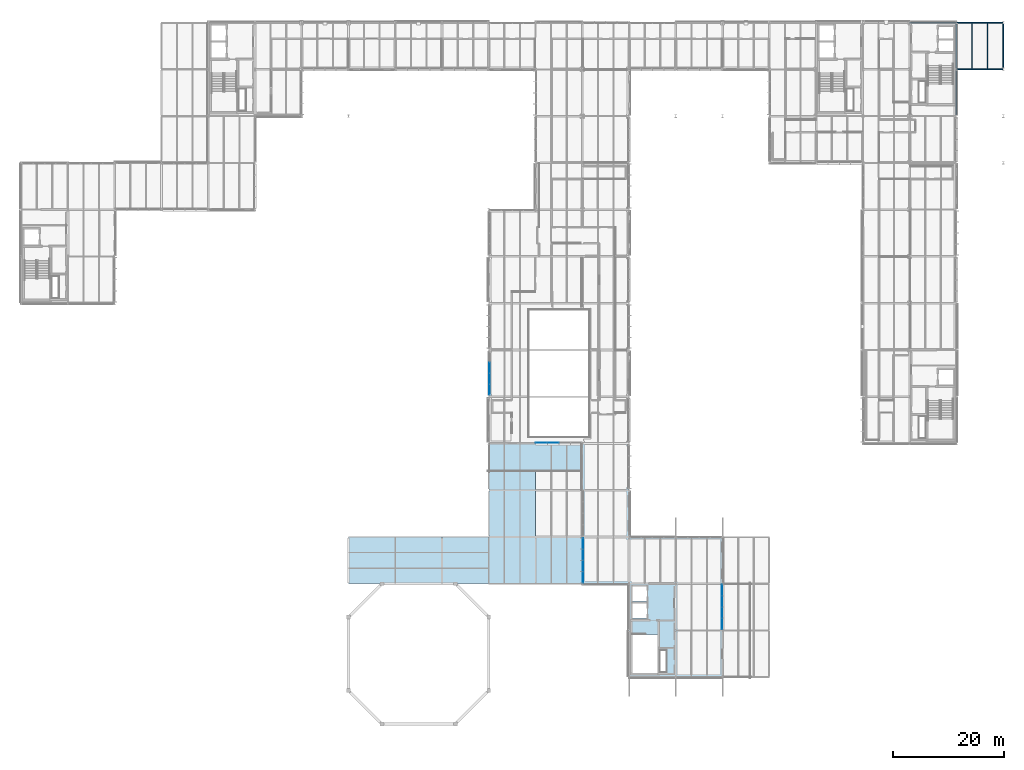
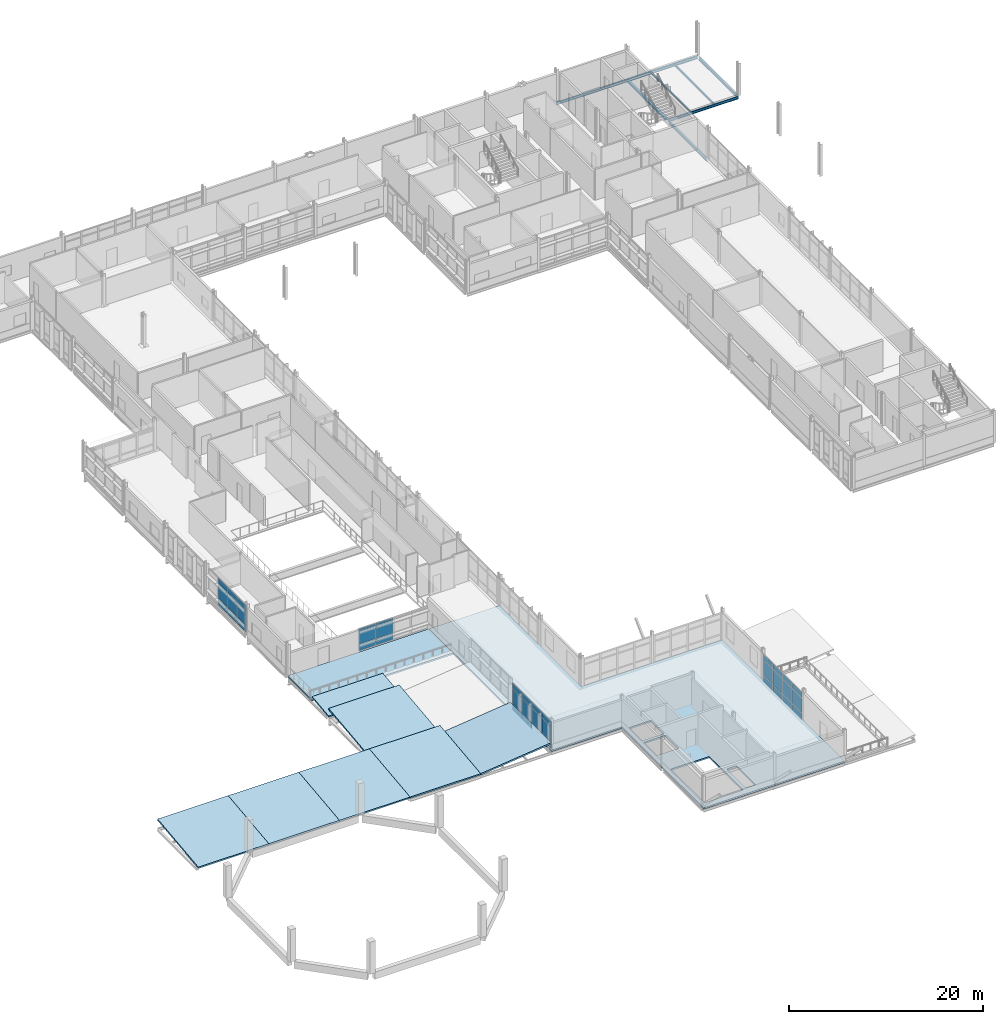
# One storey, part 95 of 131: 39 plates, 9 slabs, 8 beams, 4 elements without a shape of their own.
"""IFC4 building model written with IfcOpenShell, lengths in metres."""

from ifc_helpers import new_model, si_unit, direction, frame, origin, origin_2d, place, context, subcontext, project, spatial, polyline, rectangle, i_section, outline, extrude, material, layer, layer_set, material_profile, profile_set, type_object, element, aggregate, save


model = new_model("IFC4")

# Units and contexts
model_context = context("Model", 3, precision=1e-05, world=origin(), true_north=direction((0.0, 1.0)))
body_context = subcontext(model_context, "Body", "Model", "MODEL_VIEW")
ifc_project = project(units=[si_unit("LENGTHUNIT", "METRE"), si_unit("AREAUNIT", "SQUARE_METRE"), si_unit("VOLUMEUNIT", "CUBIC_METRE"), si_unit("PLANEANGLEUNIT", "RADIAN"), si_unit("MASSUNIT", "GRAM", prefix="KILO")], contexts=[model_context])

# Site, building, storey
site_placement = place(None, origin())
site = spatial("IfcSite", under=ifc_project, at=site_placement, CompositionType="ELEMENT")
building_placement = place(site_placement, origin())
building = spatial("IfcBuilding", under=site, at=building_placement, Name="Mersafa Astral City Hall", CompositionType="ELEMENT")
storey_placement = place(building_placement, frame((0.0, 0.0, 13.949951171875)))
storey = spatial("IfcBuildingStorey", under=building, at=storey_placement, Name="L03", CompositionType="ELEMENT", Elevation=13.949951171875)

# Beams
ifc_material_1 = material(Name="Steel S355", Category="steel")
ifc_material_profile_1 = material_profile(ifc_material_1, i_section(OverallWidth=0.135009765625, OverallDepth=0.27001953125, WebThickness=0.006591796875, FlangeThickness=0.01025390625, FilletRadius=0.014892578125, at=origin_2d()), Name="IPE 270")
ifc_profile_set_1 = profile_set([ifc_material_profile_1], Name="Steel S355")
beam_type_1 = type_object("IfcBeamType", Name="STR-BM-JOIST-IPE270", PredefinedType="JOIST", material=ifc_profile_set_1)
for number, where, z_axis, x_axis, name in (
    (1, (179.199951171875, 117.675048828125, -0.3349609375), (0.0, 1.0, 0.0), (-1.0, 0.0, 0.0), "L03 Flat roof secondary joist 31"),
    (2, (182.0, 117.675048828125, -0.3349609375), (0.0, 1.0, 0.0), (-1.0, 0.0, 0.0), "L03 Flat roof secondary joist 32"),
):
    element("IfcBeam", number, at=place(storey_placement, frame(where, z_axis=z_axis, x_axis=x_axis)), inside=storey, type_object=beam_type_1, Name=name, PredefinedType="JOIST", context=body_context, shape_type="SweptSolid", body=[
        extrude(i_section(OverallWidth=0.135009765625, OverallDepth=0.27001953125, WebThickness=0.006591796875, FlangeThickness=0.01025390625, FilletRadius=0.014892578125, at=origin_2d()), origin(), (0.0, 0.0, 1.0), 8.244873046875),
    ])
ifc_material_profile_2 = material_profile(ifc_material_1, i_section(OverallWidth=0.280029296875, OverallDepth=0.27001953125, WebThickness=0.008056640625, FlangeThickness=0.012939453125, FilletRadius=0.02392578125, at=origin_2d()), Name="HEA 280")
ifc_profile_set_2 = profile_set([ifc_material_profile_2], Name="Steel S355")
beam_type_2 = type_object("IfcBeamType", Name="STR-BM-SPANDREL-HEA280", PredefinedType="SPANDREL", material=ifc_profile_set_2)
beam_1_placement = place(storey_placement, frame((176.39990234375, 117.844970703125, -0.3349609375), z_axis=(0.0, 1.0, 0.0), x_axis=(-1.0, 0.0, 0.0)))
element("IfcBeam", 3, at=beam_1_placement, inside=storey, type_object=beam_type_2, Name="L03 Primary girder Y 21-14", PredefinedType="SPANDREL", context=body_context, shape_type="SweptSolid", body=[
    extrude(i_section(OverallWidth=0.280029296875, OverallDepth=0.27001953125, WebThickness=0.008056640625, FlangeThickness=0.012939453125, FilletRadius=0.02392578125, at=origin_2d()), origin(), (0.0, 0.0, 1.0), 7.909912109375),
])
ifc_material_profile_3 = material_profile(ifc_material_1, i_section(OverallWidth=0.159912109375, OverallDepth=0.330078125, WebThickness=0.007568359375, FlangeThickness=0.011474609375, FilletRadius=0.01806640625, at=origin_2d()), Name="IPE 330")
ifc_profile_set_3 = profile_set([ifc_material_profile_3], Name="Steel S355")
beam_type_3 = type_object("IfcBeamType", Name="STR-BM-SPANDREL-IPE330", PredefinedType="SPANDREL", material=ifc_profile_set_3)
for number, where, z_axis, x_axis, name in (
    (4, (176.403076171875, 117.60009765625, -0.364990234375), (1.0, 0.0, 0.0), (0.0, 1.0, 0.0), "L03 Primary girder X 21-14"),
    (5, (168.0029296875, 126.0, -0.364990234375), (1.0, 0.0, 0.0), (0.0, 1.0, 0.0), "L03 Primary girder X 20-15"),
):
    element("IfcBeam", number, at=place(storey_placement, frame(where, z_axis=z_axis, x_axis=x_axis)), inside=storey, type_object=beam_type_3, Name=name, PredefinedType="SPANDREL", context=body_context, shape_type="SweptSolid", body=[
        extrude(i_section(OverallWidth=0.159912109375, OverallDepth=0.330078125, WebThickness=0.007568359375, FlangeThickness=0.011474609375, FilletRadius=0.01806640625, at=origin_2d()), origin(), (0.0, 0.0, 1.0), 8.39404296875),
    ])
ifc_material_profile_4 = material_profile(ifc_material_1, i_section(OverallWidth=0.169921875, OverallDepth=0.360107421875, WebThickness=0.008056640625, FlangeThickness=0.0126953125, FilletRadius=0.01806640625, at=origin_2d()), Name="IPE 360")
ifc_profile_set_4 = profile_set([ifc_material_profile_4], Name="Steel S355")
beam_type_4 = type_object("IfcBeamType", Name="STR-BM-SPANDREL-IPE360", PredefinedType="SPANDREL", material=ifc_profile_set_4)
beam_2_placement = place(storey_placement, frame((176.403076171875, 126.0, -0.3798828125), z_axis=(1.0, 0.0, 0.0), x_axis=(0.0, 1.0, 0.0)))
element("IfcBeam", 6, at=beam_2_placement, inside=storey, type_object=beam_type_4, Name="L03 Primary girder X 21-15", PredefinedType="SPANDREL", context=body_context, shape_type="SweptSolid", body=[
    extrude(i_section(OverallWidth=0.169921875, OverallDepth=0.360107421875, WebThickness=0.008056640625, FlangeThickness=0.0126953125, FilletRadius=0.01806640625, at=origin_2d()), origin(), (0.0, 0.0, 1.0), 8.39404296875),
])
for number, where, z_axis, x_axis, name in (
    (7, (176.39990234375, 109.445068359375, -0.3798828125), (0.0, 1.0, 0.0), (-1.0, 0.0, 0.0), "L03 Primary girder Y 21-13"),
    (8, (184.800048828125, 117.844970703125, -0.3798828125), (0.0, 1.0, 0.0), (-1.0, 0.0, 0.0), "L03 Primary girder Y 22-14"),
):
    element("IfcBeam", number, at=place(storey_placement, frame(where, z_axis=z_axis, x_axis=x_axis)), inside=storey, type_object=beam_type_4, Name=name, PredefinedType="SPANDREL", context=body_context, shape_type="SweptSolid", body=[
        extrude(i_section(OverallWidth=0.169921875, OverallDepth=0.360107421875, WebThickness=0.008056640625, FlangeThickness=0.0126953125, FilletRadius=0.01806640625, at=origin_2d()), origin(), (0.0, 0.0, 1.0), 7.909912109375),
    ])

# Curtain wall, plates
ifc_material_2 = material(Name="Anodised bronze aluminium framing", Category="aluminium")
curtain_wall_type_1 = type_object("IfcCurtainWallType", Name="ENV-CW-5", PredefinedType="USERDEFINED", material=ifc_material_2)
curtain_wall_1_placement = place(storey_placement, origin())
curtain_wall_1 = element("IfcCurtainWall", 9, at=curtain_wall_1_placement, inside=storey, type_object=curtain_wall_type_1, Name="L03 Unitised solar curtain wall 148", ObjectType="UNITISED CURTAIN WALL", PredefinedType="USERDEFINED")
ifc_material_3 = material(Name="Solar control low-e double glazing", Category="glass")
ifc_layer_1 = layer(ifc_material_3, 0.028076171875, Name="Solar control low-e double glazing")
ifc_layer_set_1 = layer_set([ifc_layer_1], Name="Solar control low-e double glazing — ENV-CW-PNL-GLZ-1")
plate_type_1 = type_object("IfcPlateType", Name="ENV-CW-PNL-GLZ-1", PredefinedType="CURTAIN_PANEL", material=ifc_layer_set_1)
plate_1_placement = place(storey_placement, frame((109.320068359375, 32.41357421875, 0.05810546875), z_axis=(0.0, 0.0, 1.0), x_axis=(0.0, -1.0, 0.0)))
plate_1 = element("IfcPlate", 10, at=plate_1_placement, type_object=plate_type_1, Name="CW-5 panel 1.1", PredefinedType="CURTAIN_PANEL", context=body_context, shape_type="SweptSolid", body=[
    extrude(rectangle(XDim=1.928955078125, YDim=0.028076171875, at=origin_2d()), origin(), (0.0, 0.0, 1.0), 0.761962890625),
])
plate_2_placement = place(storey_placement, frame((109.320068359375, 32.41357421875, 0.8798828125), z_axis=(0.0, 0.0, 1.0), x_axis=(0.0, -1.0, 0.0)))
plate_2 = element("IfcPlate", 11, at=plate_2_placement, type_object=plate_type_1, Name="CW-5 panel 1.2", PredefinedType="CURTAIN_PANEL", context=body_context, shape_type="SweptSolid", body=[
    extrude(rectangle(XDim=1.928955078125, YDim=0.028076171875, at=origin_2d()), origin(), (0.0, 0.0, 1.0), 1.840087890625),
])
plate_3_placement = place(storey_placement, frame((109.320068359375, 32.41357421875, 2.780029296875), z_axis=(0.0, 0.0, 1.0), x_axis=(0.0, -1.0, 0.0)))
plate_3 = element("IfcPlate", 12, at=plate_3_placement, type_object=plate_type_1, Name="CW-5 panel 1.3", PredefinedType="CURTAIN_PANEL", context=body_context, shape_type="SweptSolid", body=[
    extrude(rectangle(XDim=1.928955078125, YDim=0.028076171875, at=origin_2d()), origin(), (0.0, 0.0, 1.0), 0.64697265625),
])
plate_4_placement = place(storey_placement, frame((109.320068359375, 30.409423828125, 0.05810546875), z_axis=(0.0, 0.0, 1.0), x_axis=(0.0, -1.0, 0.0)))
plate_4 = element("IfcPlate", 13, at=plate_4_placement, type_object=plate_type_1, Name="CW-5 panel 2.1", PredefinedType="CURTAIN_PANEL", context=body_context, shape_type="SweptSolid", body=[
    extrude(rectangle(XDim=1.958984375, YDim=0.028076171875, at=origin_2d()), origin(), (0.0, 0.0, 1.0), 0.761962890625),
])
plate_5_placement = place(storey_placement, frame((109.320068359375, 30.409423828125, 0.8798828125), z_axis=(0.0, 0.0, 1.0), x_axis=(0.0, -1.0, 0.0)))
plate_5 = element("IfcPlate", 14, at=plate_5_placement, type_object=plate_type_1, Name="CW-5 panel 2.2", PredefinedType="CURTAIN_PANEL", context=body_context, shape_type="SweptSolid", body=[
    extrude(rectangle(XDim=1.958984375, YDim=0.028076171875, at=origin_2d()), origin(), (0.0, 0.0, 1.0), 1.840087890625),
])
plate_6_placement = place(storey_placement, frame((109.320068359375, 30.409423828125, 2.780029296875), z_axis=(0.0, 0.0, 1.0), x_axis=(0.0, -1.0, 0.0)))
plate_6 = element("IfcPlate", 15, at=plate_6_placement, type_object=plate_type_1, Name="CW-5 panel 2.3", PredefinedType="CURTAIN_PANEL", context=body_context, shape_type="SweptSolid", body=[
    extrude(rectangle(XDim=1.958984375, YDim=0.028076171875, at=origin_2d()), origin(), (0.0, 0.0, 1.0), 0.64697265625),
])
plate_7_placement = place(storey_placement, frame((109.320068359375, 28.390380859375, 0.05810546875), z_axis=(0.0, 0.0, 1.0), x_axis=(0.0, -1.0, 0.0)))
plate_7 = element("IfcPlate", 16, at=plate_7_placement, type_object=plate_type_1, Name="CW-5 panel 3.1", PredefinedType="CURTAIN_PANEL", context=body_context, shape_type="SweptSolid", body=[
    extrude(rectangle(XDim=1.958984375, YDim=0.028076171875, at=origin_2d()), origin(), (0.0, 0.0, 1.0), 0.761962890625),
])
plate_8_placement = place(storey_placement, frame((109.320068359375, 28.390380859375, 0.8798828125), z_axis=(0.0, 0.0, 1.0), x_axis=(0.0, -1.0, 0.0)))
plate_8 = element("IfcPlate", 17, at=plate_8_placement, type_object=plate_type_1, Name="CW-5 panel 3.2", PredefinedType="CURTAIN_PANEL", context=body_context, shape_type="SweptSolid", body=[
    extrude(rectangle(XDim=1.958984375, YDim=0.028076171875, at=origin_2d()), origin(), (0.0, 0.0, 1.0), 1.840087890625),
])
plate_9_placement = place(storey_placement, frame((109.320068359375, 28.390380859375, 2.780029296875), z_axis=(0.0, 0.0, 1.0), x_axis=(0.0, -1.0, 0.0)))
plate_9 = element("IfcPlate", 18, at=plate_9_placement, type_object=plate_type_1, Name="CW-5 panel 3.3", PredefinedType="CURTAIN_PANEL", context=body_context, shape_type="SweptSolid", body=[
    extrude(rectangle(XDim=1.958984375, YDim=0.028076171875, at=origin_2d()), origin(), (0.0, 0.0, 1.0), 0.64697265625),
])
plate_10_placement = place(storey_placement, frame((109.320068359375, 26.386474609375, 0.05810546875), z_axis=(0.0, 0.0, 1.0), x_axis=(0.0, -1.0, 0.0)))
plate_10 = element("IfcPlate", 19, at=plate_10_placement, type_object=plate_type_1, Name="CW-5 panel 4.1", PredefinedType="CURTAIN_PANEL", context=body_context, shape_type="SweptSolid", body=[
    extrude(rectangle(XDim=1.928955078125, YDim=0.028076171875, at=origin_2d()), origin(), (0.0, 0.0, 1.0), 0.761962890625),
])
plate_11_placement = place(storey_placement, frame((109.320068359375, 26.386474609375, 0.8798828125), z_axis=(0.0, 0.0, 1.0), x_axis=(0.0, -1.0, 0.0)))
plate_11 = element("IfcPlate", 20, at=plate_11_placement, type_object=plate_type_1, Name="CW-5 panel 4.2", PredefinedType="CURTAIN_PANEL", context=body_context, shape_type="SweptSolid", body=[
    extrude(rectangle(XDim=1.928955078125, YDim=0.028076171875, at=origin_2d()), origin(), (0.0, 0.0, 1.0), 1.840087890625),
])
plate_12_placement = place(storey_placement, frame((109.320068359375, 26.386474609375, 2.780029296875), z_axis=(0.0, 0.0, 1.0), x_axis=(0.0, -1.0, 0.0)))
plate_12 = element("IfcPlate", 21, at=plate_12_placement, type_object=plate_type_1, Name="CW-5 panel 4.3", PredefinedType="CURTAIN_PANEL", context=body_context, shape_type="SweptSolid", body=[
    extrude(rectangle(XDim=1.928955078125, YDim=0.028076171875, at=origin_2d()), origin(), (0.0, 0.0, 1.0), 0.64697265625),
])
aggregate(curtain_wall_1, [plate_1, plate_2, plate_3, plate_4, plate_5, plate_6, plate_7, plate_8, plate_9, plate_10, plate_11, plate_12])

curtain_wall_type_2 = type_object("IfcCurtainWallType", Name="ENV-CW-3", PredefinedType="USERDEFINED", material=ifc_material_2)
curtain_wall_2_placement = place(storey_placement, origin())
curtain_wall_2 = element("IfcCurtainWall", 22, at=curtain_wall_2_placement, inside=storey, type_object=curtain_wall_type_2, Name="L03 Unitised solar curtain wall 188", ObjectType="UNITISED CURTAIN WALL", PredefinedType="USERDEFINED")
plate_13_placement = place(storey_placement, frame((101.864990234375, 50.52001953125, 0.05810546875), z_axis=(0.0, 0.0, 1.0), x_axis=(1.0, 0.0, 0.0)))
plate_13 = element("IfcPlate", 23, at=plate_13_placement, type_object=plate_type_1, Name="CW-3 panel 1.1", PredefinedType="CURTAIN_PANEL", context=body_context, shape_type="SweptSolid", body=[
    extrude(rectangle(XDim=2.010009765625, YDim=0.028076171875, at=origin_2d()), origin(), (0.0, 0.0, 1.0), 0.761962890625),
])
plate_14_placement = place(storey_placement, frame((101.864990234375, 50.52001953125, 0.880126953125), z_axis=(0.0, 0.0, 1.0), x_axis=(1.0, 0.0, 0.0)))
plate_14 = element("IfcPlate", 24, at=plate_14_placement, type_object=plate_type_1, Name="CW-3 panel 1.2", PredefinedType="CURTAIN_PANEL", context=body_context, shape_type="SweptSolid", body=[
    extrude(rectangle(XDim=2.010009765625, YDim=0.028076171875, at=origin_2d()), origin(), (0.0, 0.0, 1.0), 1.5869140625),
])
plate_15_placement = place(storey_placement, frame((101.864990234375, 50.52001953125, 2.52685546875), z_axis=(0.0, 0.0, 1.0), x_axis=(1.0, 0.0, 0.0)))
plate_15 = element("IfcPlate", 25, at=plate_15_placement, type_object=plate_type_1, Name="CW-3 panel 1.3", PredefinedType="CURTAIN_PANEL", context=body_context, shape_type="SweptSolid", body=[
    extrude(rectangle(XDim=2.010009765625, YDim=0.028076171875, at=origin_2d()), origin(), (0.0, 0.0, 1.0), 0.260009765625),
])
plate_16_placement = place(storey_placement, frame((103.949951171875, 50.52001953125, 0.05810546875), z_axis=(0.0, 0.0, 1.0), x_axis=(1.0, 0.0, 0.0)))
plate_16 = element("IfcPlate", 26, at=plate_16_placement, type_object=plate_type_1, Name="CW-3 panel 2.1", PredefinedType="CURTAIN_PANEL", context=body_context, shape_type="SweptSolid", body=[
    extrude(rectangle(XDim=2.0400390625, YDim=0.028076171875, at=origin_2d()), origin(), (0.0, 0.0, 1.0), 0.761962890625),
])
plate_17_placement = place(storey_placement, frame((103.949951171875, 50.52001953125, 0.880126953125), z_axis=(0.0, 0.0, 1.0), x_axis=(1.0, 0.0, 0.0)))
plate_17 = element("IfcPlate", 27, at=plate_17_placement, type_object=plate_type_1, Name="CW-3 panel 2.2", PredefinedType="CURTAIN_PANEL", context=body_context, shape_type="SweptSolid", body=[
    extrude(rectangle(XDim=2.0400390625, YDim=0.028076171875, at=origin_2d()), origin(), (0.0, 0.0, 1.0), 1.5869140625),
])
plate_18_placement = place(storey_placement, frame((103.949951171875, 50.52001953125, 2.52685546875), z_axis=(0.0, 0.0, 1.0), x_axis=(1.0, 0.0, 0.0)))
plate_18 = element("IfcPlate", 28, at=plate_18_placement, type_object=plate_type_1, Name="CW-3 panel 2.3", PredefinedType="CURTAIN_PANEL", context=body_context, shape_type="SweptSolid", body=[
    extrude(rectangle(XDim=2.0400390625, YDim=0.028076171875, at=origin_2d()), origin(), (0.0, 0.0, 1.0), 0.260009765625),
])
aggregate(curtain_wall_2, [plate_13, plate_14, plate_15, plate_16, plate_17, plate_18])

curtain_wall_type_3 = type_object("IfcCurtainWallType", Name="ENV-CW-6", PredefinedType="USERDEFINED", material=ifc_material_2)
curtain_wall_3_placement = place(storey_placement, origin())
curtain_wall_3 = element("IfcCurtainWall", 29, at=curtain_wall_3_placement, inside=storey, type_object=curtain_wall_type_3, Name="L03 Unitised solar curtain wall 149", ObjectType="UNITISED CURTAIN WALL", PredefinedType="USERDEFINED")
ifc_layer_2 = layer(ifc_material_3, 0.031982421875, Name="Solar control low-e double glazing")
ifc_layer_set_2 = layer_set([ifc_layer_2], Name="Solar control low-e double glazing — ENV-CW-PNL-GLZ-2")
plate_type_2 = type_object("IfcPlateType", Name="ENV-CW-PNL-GLZ-2", PredefinedType="CURTAIN_PANEL", material=ifc_layer_set_2)
plate_19_placement = place(storey_placement, frame((134.280029296875, 17.986572265625, 0.05810546875), z_axis=(0.0, 0.0, 1.0), x_axis=(0.0, 1.0, 0.0)))
plate_19 = element("IfcPlate", 30, at=plate_19_placement, type_object=plate_type_2, Name="CW-6 panel 1.1", PredefinedType="CURTAIN_PANEL", context=body_context, shape_type="SweptSolid", body=[
    extrude(rectangle(XDim=1.928955078125, YDim=0.031982421875, at=origin_2d()), origin(), (0.0, 0.0, 1.0), 0.761962890625),
])
plate_20_placement = place(storey_placement, frame((134.280029296875, 17.986572265625, 0.8798828125), z_axis=(0.0, 0.0, 1.0), x_axis=(0.0, 1.0, 0.0)))
plate_20 = element("IfcPlate", 31, at=plate_20_placement, type_object=plate_type_2, Name="CW-6 panel 1.2", PredefinedType="CURTAIN_PANEL", context=body_context, shape_type="SweptSolid", body=[
    extrude(rectangle(XDim=1.928955078125, YDim=0.031982421875, at=origin_2d()), origin(), (0.0, 0.0, 1.0), 1.840087890625),
])
plate_21_placement = place(storey_placement, frame((134.280029296875, 17.986572265625, 2.780029296875), z_axis=(0.0, 0.0, 1.0), x_axis=(0.0, 1.0, 0.0)))
plate_21 = element("IfcPlate", 32, at=plate_21_placement, type_object=plate_type_2, Name="CW-6 panel 1.3", PredefinedType="CURTAIN_PANEL", context=body_context, shape_type="SweptSolid", body=[
    extrude(rectangle(XDim=1.928955078125, YDim=0.031982421875, at=origin_2d()), origin(), (0.0, 0.0, 1.0), 0.662109375),
])
plate_22_placement = place(storey_placement, frame((134.280029296875, 19.990478515625, 0.05810546875), z_axis=(0.0, 0.0, 1.0), x_axis=(0.0, 1.0, 0.0)))
plate_22 = element("IfcPlate", 33, at=plate_22_placement, type_object=plate_type_2, Name="CW-6 panel 2.1", PredefinedType="CURTAIN_PANEL", context=body_context, shape_type="SweptSolid", body=[
    extrude(rectangle(XDim=1.958984375, YDim=0.031982421875, at=origin_2d()), origin(), (0.0, 0.0, 1.0), 0.761962890625),
])
plate_23_placement = place(storey_placement, frame((134.280029296875, 19.990478515625, 0.8798828125), z_axis=(0.0, 0.0, 1.0), x_axis=(0.0, 1.0, 0.0)))
plate_23 = element("IfcPlate", 34, at=plate_23_placement, type_object=plate_type_2, Name="CW-6 panel 2.2", PredefinedType="CURTAIN_PANEL", context=body_context, shape_type="SweptSolid", body=[
    extrude(rectangle(XDim=1.958984375, YDim=0.031982421875, at=origin_2d()), origin(), (0.0, 0.0, 1.0), 1.840087890625),
])
plate_24_placement = place(storey_placement, frame((134.280029296875, 19.990478515625, 2.780029296875), z_axis=(0.0, 0.0, 1.0), x_axis=(0.0, 1.0, 0.0)))
plate_24 = element("IfcPlate", 35, at=plate_24_placement, type_object=plate_type_2, Name="CW-6 panel 2.3", PredefinedType="CURTAIN_PANEL", context=body_context, shape_type="SweptSolid", body=[
    extrude(rectangle(XDim=1.958984375, YDim=0.031982421875, at=origin_2d()), origin(), (0.0, 0.0, 1.0), 0.662109375),
])
plate_25_placement = place(storey_placement, frame((134.280029296875, 22.009521484375, 0.05810546875), z_axis=(0.0, 0.0, 1.0), x_axis=(0.0, 1.0, 0.0)))
plate_25 = element("IfcPlate", 36, at=plate_25_placement, type_object=plate_type_2, Name="CW-6 panel 3.1", PredefinedType="CURTAIN_PANEL", context=body_context, shape_type="SweptSolid", body=[
    extrude(rectangle(XDim=1.958984375, YDim=0.031982421875, at=origin_2d()), origin(), (0.0, 0.0, 1.0), 0.761962890625),
])
plate_26_placement = place(storey_placement, frame((134.280029296875, 22.009521484375, 0.8798828125), z_axis=(0.0, 0.0, 1.0), x_axis=(0.0, 1.0, 0.0)))
plate_26 = element("IfcPlate", 37, at=plate_26_placement, type_object=plate_type_2, Name="CW-6 panel 3.2", PredefinedType="CURTAIN_PANEL", context=body_context, shape_type="SweptSolid", body=[
    extrude(rectangle(XDim=1.958984375, YDim=0.031982421875, at=origin_2d()), origin(), (0.0, 0.0, 1.0), 1.840087890625),
])
plate_27_placement = place(storey_placement, frame((134.280029296875, 22.009521484375, 2.780029296875), z_axis=(0.0, 0.0, 1.0), x_axis=(0.0, 1.0, 0.0)))
plate_27 = element("IfcPlate", 38, at=plate_27_placement, type_object=plate_type_2, Name="CW-6 panel 3.3", PredefinedType="CURTAIN_PANEL", context=body_context, shape_type="SweptSolid", body=[
    extrude(rectangle(XDim=1.958984375, YDim=0.031982421875, at=origin_2d()), origin(), (0.0, 0.0, 1.0), 0.662109375),
])
plate_28_placement = place(storey_placement, frame((134.280029296875, 24.013427734375, 0.05810546875), z_axis=(0.0, 0.0, 1.0), x_axis=(0.0, 1.0, 0.0)))
plate_28 = element("IfcPlate", 39, at=plate_28_placement, type_object=plate_type_2, Name="CW-6 panel 4.1", PredefinedType="CURTAIN_PANEL", context=body_context, shape_type="SweptSolid", body=[
    extrude(rectangle(XDim=1.928955078125, YDim=0.031982421875, at=origin_2d()), origin(), (0.0, 0.0, 1.0), 0.761962890625),
])
plate_29_placement = place(storey_placement, frame((134.280029296875, 24.013427734375, 0.8798828125), z_axis=(0.0, 0.0, 1.0), x_axis=(0.0, 1.0, 0.0)))
plate_29 = element("IfcPlate", 40, at=plate_29_placement, type_object=plate_type_2, Name="CW-6 panel 4.2", PredefinedType="CURTAIN_PANEL", context=body_context, shape_type="SweptSolid", body=[
    extrude(rectangle(XDim=1.928955078125, YDim=0.031982421875, at=origin_2d()), origin(), (0.0, 0.0, 1.0), 1.840087890625),
])
plate_30_placement = place(storey_placement, frame((134.280029296875, 24.013427734375, 2.780029296875), z_axis=(0.0, 0.0, 1.0), x_axis=(0.0, 1.0, 0.0)))
plate_30 = element("IfcPlate", 41, at=plate_30_placement, type_object=plate_type_2, Name="CW-6 panel 4.3", PredefinedType="CURTAIN_PANEL", context=body_context, shape_type="SweptSolid", body=[
    extrude(rectangle(XDim=1.928955078125, YDim=0.031982421875, at=origin_2d()), origin(), (0.0, 0.0, 1.0), 0.662109375),
])
aggregate(curtain_wall_3, [plate_19, plate_20, plate_21, plate_22, plate_23, plate_24, plate_25, plate_26, plate_27, plate_28, plate_29, plate_30])

curtain_wall_type_4 = type_object("IfcCurtainWallType", Name="ENV-CW-2", PredefinedType="USERDEFINED", material=ifc_material_2)
curtain_wall_4_placement = place(storey_placement, origin())
curtain_wall_4 = element("IfcCurtainWall", 42, at=curtain_wall_4_placement, inside=storey, type_object=curtain_wall_type_4, Name="L03 Unitised solar curtain wall 187", ObjectType="UNITISED CURTAIN WALL", PredefinedType="USERDEFINED")
ifc_layer_3 = layer(ifc_material_3, 0.0400390625, Name="Solar control low-e double glazing")
ifc_layer_set_3 = layer_set([ifc_layer_3], Name="Solar control low-e double glazing — ENV-CW-PNL-GLZ-4")
plate_type_3 = type_object("IfcPlateType", Name="ENV-CW-PNL-GLZ-4", PredefinedType="CURTAIN_PANEL", material=ifc_layer_set_3)
plate_31_placement = place(storey_placement, frame((92.52001953125, 63.978271484375, 0.05810546875), z_axis=(0.0, 0.0, 1.0), x_axis=(0.0, -1.0, 0.0)))
plate_31 = element("IfcPlate", 43, at=plate_31_placement, type_object=plate_type_3, Name="CW-2 panel 2.1", PredefinedType="CURTAIN_PANEL", context=body_context, shape_type="SweptSolid", body=[
    extrude(rectangle(XDim=1.896484375, YDim=0.0400390625, at=origin_2d()), origin(), (0.0, 0.0, 1.0), 0.761962890625),
])
plate_32_placement = place(storey_placement, frame((92.52001953125, 63.978271484375, 0.8798828125), z_axis=(0.0, 0.0, 1.0), x_axis=(0.0, -1.0, 0.0)))
plate_32 = element("IfcPlate", 44, at=plate_32_placement, type_object=plate_type_3, Name="CW-2 panel 2.2", PredefinedType="CURTAIN_PANEL", context=body_context, shape_type="SweptSolid", body=[
    extrude(rectangle(XDim=1.896484375, YDim=0.0400390625, at=origin_2d()), origin(), (0.0, 0.0, 1.0), 1.840087890625),
])
plate_33_placement = place(storey_placement, frame((92.52001953125, 63.978271484375, 2.780029296875), z_axis=(0.0, 0.0, 1.0), x_axis=(0.0, -1.0, 0.0)))
plate_33 = element("IfcPlate", 45, at=plate_33_placement, type_object=plate_type_3, Name="CW-2 panel 2.3", PredefinedType="CURTAIN_PANEL", context=body_context, shape_type="SweptSolid", body=[
    extrude(rectangle(XDim=1.896484375, YDim=0.0400390625, at=origin_2d()), origin(), (0.0, 0.0, 1.0), 0.64697265625),
])
plate_34_placement = place(storey_placement, frame((92.52001953125, 62.021728515625, 0.05810546875), z_axis=(0.0, 0.0, 1.0), x_axis=(0.0, -1.0, 0.0)))
plate_34 = element("IfcPlate", 46, at=plate_34_placement, type_object=plate_type_3, Name="CW-2 panel 3.1", PredefinedType="CURTAIN_PANEL", context=body_context, shape_type="SweptSolid", body=[
    extrude(rectangle(XDim=1.896484375, YDim=0.0400390625, at=origin_2d()), origin(), (0.0, 0.0, 1.0), 0.761962890625),
])
plate_35_placement = place(storey_placement, frame((92.52001953125, 62.021728515625, 0.8798828125), z_axis=(0.0, 0.0, 1.0), x_axis=(0.0, -1.0, 0.0)))
plate_35 = element("IfcPlate", 47, at=plate_35_placement, type_object=plate_type_3, Name="CW-2 panel 3.2", PredefinedType="CURTAIN_PANEL", context=body_context, shape_type="SweptSolid", body=[
    extrude(rectangle(XDim=1.896484375, YDim=0.0400390625, at=origin_2d()), origin(), (0.0, 0.0, 1.0), 1.840087890625),
])
plate_36_placement = place(storey_placement, frame((92.52001953125, 62.021728515625, 2.780029296875), z_axis=(0.0, 0.0, 1.0), x_axis=(0.0, -1.0, 0.0)))
plate_36 = element("IfcPlate", 48, at=plate_36_placement, type_object=plate_type_3, Name="CW-2 panel 3.3", PredefinedType="CURTAIN_PANEL", context=body_context, shape_type="SweptSolid", body=[
    extrude(rectangle(XDim=1.896484375, YDim=0.0400390625, at=origin_2d()), origin(), (0.0, 0.0, 1.0), 0.64697265625),
])
plate_37_placement = place(storey_placement, frame((92.52001953125, 60.080322265625, 0.05810546875), z_axis=(0.0, 0.0, 1.0), x_axis=(0.0, -1.0, 0.0)))
plate_37 = element("IfcPlate", 49, at=plate_37_placement, type_object=plate_type_3, Name="CW-2 panel 4.1", PredefinedType="CURTAIN_PANEL", context=body_context, shape_type="SweptSolid", body=[
    extrude(rectangle(XDim=1.866455078125, YDim=0.0400390625, at=origin_2d()), origin(), (0.0, 0.0, 1.0), 0.761962890625),
])
plate_38_placement = place(storey_placement, frame((92.52001953125, 60.080322265625, 0.8798828125), z_axis=(0.0, 0.0, 1.0), x_axis=(0.0, -1.0, 0.0)))
plate_38 = element("IfcPlate", 50, at=plate_38_placement, type_object=plate_type_3, Name="CW-2 panel 4.2", PredefinedType="CURTAIN_PANEL", context=body_context, shape_type="SweptSolid", body=[
    extrude(rectangle(XDim=1.866455078125, YDim=0.0400390625, at=origin_2d()), origin(), (0.0, 0.0, 1.0), 1.840087890625),
])
plate_39_placement = place(storey_placement, frame((92.52001953125, 60.080322265625, 2.780029296875), z_axis=(0.0, 0.0, 1.0), x_axis=(0.0, -1.0, 0.0)))
plate_39 = element("IfcPlate", 51, at=plate_39_placement, type_object=plate_type_3, Name="CW-2 panel 4.3", PredefinedType="CURTAIN_PANEL", context=body_context, shape_type="SweptSolid", body=[
    extrude(rectangle(XDim=1.866455078125, YDim=0.0400390625, at=origin_2d()), origin(), (0.0, 0.0, 1.0), 0.64697265625),
])
aggregate(curtain_wall_4, [plate_31, plate_32, plate_33, plate_34, plate_35, plate_36, plate_37, plate_38, plate_39])

# Slabs
ifc_material_4 = material(Name="Concrete C35/45", Category="concrete")
ifc_layer_4 = layer(ifc_material_4, 0.199951171875, Name="Concrete C35/45")
ifc_layer_set_4 = layer_set([ifc_layer_4], Name="Concrete C35/45 — STR-SLAB-FLR-200")
slab_type_1 = type_object("IfcSlabType", Name="STR-SLAB-FLR-200", PredefinedType="FLOOR", material=ifc_layer_set_4)
slab_1_placement = place(storey_placement, frame((0.0, 0.0, -0.199951171875)))
element("IfcSlab", 52, at=slab_1_placement, inside=storey, type_object=slab_type_1, Name="L03 V3 structural floor slab 1", PredefinedType="FLOOR", context=body_context, shape_type="SweptSolid", body=[
    extrude(outline(polyline([(109.199951171875, 25.199951171875), (109.199951171875, 33.60009765625), (109.199951171875, 42.0), (109.199951171875, 50.39990234375), (117.60009765625, 50.39990234375), (117.60009765625, 42.0), (117.60009765625, 33.60009765625), (126.0, 33.60009765625), (134.39990234375, 33.60009765625), (134.39990234375, 25.199951171875), (134.39990234375, 16.800048828125), (134.39990234375, 8.39990234375), (126.0, 8.39990234375), (117.60009765625, 8.39990234375), (117.60009765625, 16.800048828125), (117.60009765625, 25.199951171875), (109.199951171875, 25.199951171875)]), holes=[polyline([(124.330078125, 13.25), (123.14990234375, 13.25), (123.14990234375, 9.35009765625), (124.330078125, 9.35009765625), (124.330078125, 13.25)]), polyline([(118.179931640625, 9.14990234375), (122.739990234375, 9.14990234375), (122.739990234375, 16.10009765625), (118.179931640625, 16.10009765625), (118.179931640625, 9.14990234375)]), polyline([(120.780029296875, 21.64990234375), (118.179931640625, 21.64990234375), (118.179931640625, 18.949951171875), (120.780029296875, 18.949951171875), (120.780029296875, 21.64990234375)]), polyline([(120.780029296875, 22.0), (120.780029296875, 24.699951171875), (118.179931640625, 24.699951171875), (118.179931640625, 22.0), (120.780029296875, 22.0)])]), origin(), (0.0, 0.0, 1.0), 0.199951171875),
])
ifc_material_5 = material(Name="Concrete C40/50", Category="concrete")
ifc_layer_5 = layer(ifc_material_5, 0.199951171875, Name="Concrete C40/50")
ifc_layer_set_5 = layer_set([ifc_layer_5], Name="Concrete C40/50 — STR-SLAB-ROOF-200")
slab_type_2 = type_object("IfcSlabType", Name="STR-SLAB-ROOF-200", PredefinedType="ROOF", material=ifc_layer_set_5)
slab_2_placement = place(storey_placement, frame((67.199951171875, 33.60009765625, 0.966064453125), z_axis=(-2.957651e-06, -0.114250906659, 0.993451926526), x_axis=(-5e-12, -0.993451926531, -0.11425090666)))
element("IfcSlab", 53, at=slab_2_placement, inside=storey, type_object=slab_type_2, Name="L03 Scupper-sloped wing roof slab 1-1", PredefinedType="ROOF", context=body_context, shape_type="SweptSolid", body=[
    extrude(outline(polyline([(0.0, 0.0), (8.45551544770315, 0.0), (8.455515447673319, 5.988769531223806), (8.447399989371972, 5.996826171995695), (8.447399989360001, 8.400146484485184), (-4.1841723879619566e-11, 8.40014648433826), (0.0, 0.0)])), origin(), (0.0, 0.0, -1.0), 0.199951171875),
])
slab_3_placement = place(storey_placement, frame((84.0, 33.60009765625, 0.965087890625), z_axis=(0.0, -0.114246737674, 0.993452405972), x_axis=(-1.0, 0.0, 0.0)))
element("IfcSlab", 54, at=slab_3_placement, inside=storey, type_object=slab_type_2, Name="L03 Scupper-sloped wing roof slab 1-2", PredefinedType="ROOF", context=body_context, shape_type="SweptSolid", body=[
    extrude(outline(polyline([(0.0, 0.0), (8.39990234375, 0.0), (8.39990234375, 8.447399989476223), (0.0, 8.447399989476223), (0.0, 0.0)])), origin(), (0.0, 0.0, -1.0), 0.199951171875),
])
slab_4_placement = place(storey_placement, frame((92.39990234375, 33.60009765625, 0.966064453125), z_axis=(2.957737e-06, -0.114250906611, 0.993451926532), x_axis=(-0.999999999996, -3.37924e-07, 2.938369e-06)))
element("IfcSlab", 55, at=slab_4_placement, inside=storey, type_object=slab_type_2, Name="L03 Scupper-sloped wing roof slab 1-3", PredefinedType="ROOF", context=body_context, shape_type="SweptSolid", body=[
    extrude(outline(polyline([(0.0, 0.0), (8.399902343713258, 4.446871274296792e-22), (8.399902343818106, 8.447399989401847), (5.996582031328619, 8.447399989401847), (5.988525390556686, 8.45551544770315), (-4.211996957871229e-11, 8.45551544770315), (0.0, 0.0)])), origin(), (0.0, 0.0, -1.0), 0.199951171875),
])
slab_5_placement = place(storey_placement, frame((92.39990234375, 25.199951171875, 0.0), z_axis=(0.0, -0.114252579763, 0.993451734116), x_axis=(1.0, 0.0, 0.0)))
element("IfcSlab", 56, at=slab_5_placement, inside=storey, type_object=slab_type_2, Name="L03 Scupper-sloped wing roof slab 1-4", PredefinedType="ROOF", context=body_context, shape_type="SweptSolid", body=[
    extrude(outline(polyline([(0.0, 0.0), (8.400146484375, 0.0), (8.400146484375, 8.45551544771514), (0.0, 8.45551544771514), (0.0, 0.0)])), origin(), (0.0, 0.0, -1.0), 0.199951171875),
])
slab_6_placement = place(storey_placement, frame((92.39990234375, 42.0, 0.966064453125), z_axis=(0.0, -0.11425585713, 0.993451357194), x_axis=(0.0, -0.993451357194, -0.11425585713)))
element("IfcSlab", 57, at=slab_6_placement, inside=storey, type_object=slab_type_2, Name="L03 Scupper-sloped wing roof slab 1-5", PredefinedType="ROOF", context=body_context, shape_type="SweptSolid", body=[
    extrude(outline(polyline([(0.0, 0.0), (8.455272905833876, 0.0), (8.455272905833876, 8.400146484375002), (0.0, 8.400146484375002), (0.0, 0.0)])), origin(), (0.0, 0.0, -1.0), 0.199951171875),
])
slab_7_placement = place(storey_placement, frame((92.39990234375, 45.39208984375, 0.39013671875), z_axis=(0.0, -0.11426043099, 0.993450831149), x_axis=(0.0, -0.993450831149, -0.11426043099)))
element("IfcSlab", 58, at=slab_7_placement, inside=storey, type_object=slab_type_2, Name="L03 Scupper-sloped wing roof slab 1-6", PredefinedType="ROOF", context=body_context, shape_type="SweptSolid", body=[
    extrude(outline(polyline([(0.0, 0.0), (3.414451664233793, 0.0), (3.414451664233793, 8.400146484375), (0.0, 8.400146484375), (0.0, 0.0)])), origin(), (0.0, 0.0, -1.0), 0.199951171875),
])
slab_8_placement = place(storey_placement, frame((109.19189453125, 25.199951171875, 0.965087890625), z_axis=(-0.114250018025, 0.0, 0.993452028727), x_axis=(0.0, 1.0, 0.0)))
element("IfcSlab", 59, at=slab_8_placement, inside=storey, type_object=slab_type_2, Name="L03 Scupper-sloped wing roof slab 1-7", PredefinedType="ROOF", context=body_context, shape_type="SweptSolid", body=[
    extrude(outline(polyline([(0.0, 0.0), (8.400146484375, 0.0), (8.400146484375, 8.447157447430973), (0.0, 8.447157447430973), (0.0, 0.0)])), origin(), (0.0, 0.0, -1.0), 0.199951171875),
])
ifc_layer_6 = layer(ifc_material_4, 0.199951171875, Name="Concrete C35/45")
ifc_layer_set_6 = layer_set([ifc_layer_6], Name="Concrete C35/45 — STR-SLAB-TER-200")
slab_type_3 = type_object("IfcSlabType", Name="STR-SLAB-TER-200", PredefinedType="FLOOR", material=ifc_layer_set_6)
slab_9_placement = place(storey_placement, frame((0.0, 0.0, -0.199951171875)))
element("IfcSlab", 60, at=slab_9_placement, inside=storey, type_object=slab_type_3, Name="L03 Stepped outdoor civic terrace slab TER-L03-V2S", PredefinedType="FLOOR", context=body_context, shape_type="SweptSolid", body=[
    extrude(outline(polyline([(92.39990234375, 45.39990234375), (92.39990234375, 50.39208984375), (109.19189453125, 50.39208984375), (109.19189453125, 45.39990234375), (92.39990234375, 45.39990234375)])), origin(), (0.0, 0.0, 1.0), 0.199951171875),
])

save(model, "model.ifc")
